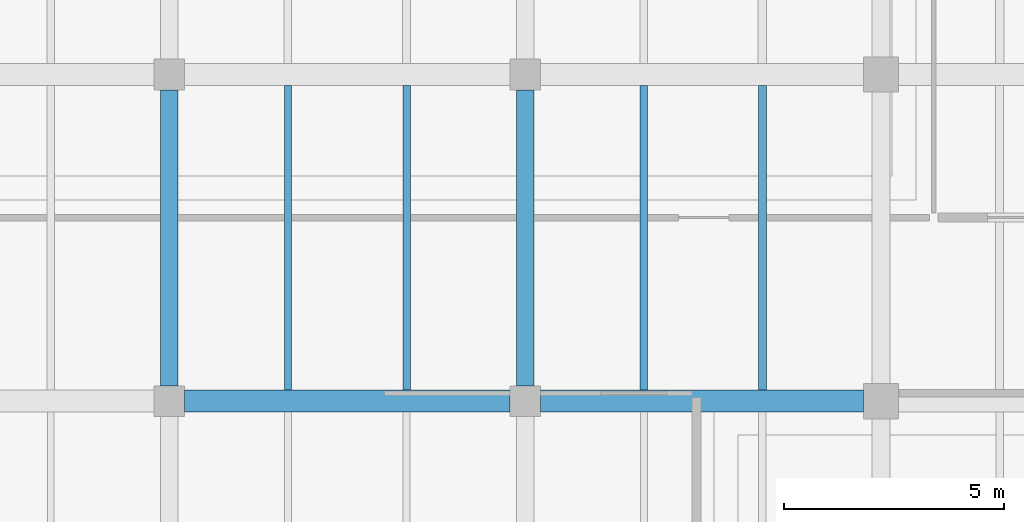
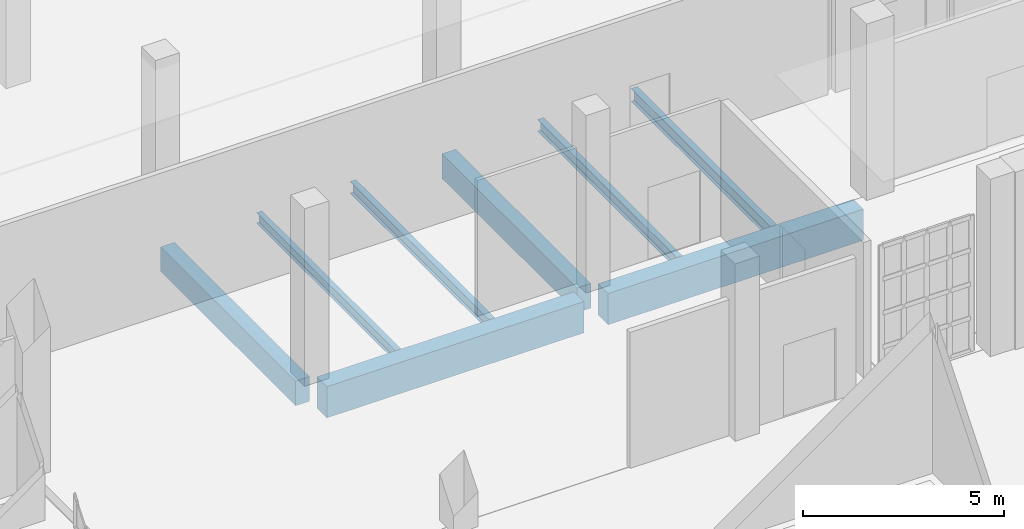
# One storey, part 283 of 372: 8 beams.
"""IFC4 building model written with IfcOpenShell, lengths in metres."""

from ifc_helpers import new_model, si_unit, direction, frame, origin, origin_2d, place, context, subcontext, project, spatial, rectangle, i_section, extrude, material, material_profile, profile_set, type_object, element, save


model = new_model("IFC4")

# Units and contexts
model_context = context("Model", 3, precision=1e-05, world=origin(), true_north=direction((0.0, 1.0)))
body_context = subcontext(model_context, "Body", "Model", "MODEL_VIEW")
ifc_project = project(units=[si_unit("LENGTHUNIT", "METRE"), si_unit("AREAUNIT", "SQUARE_METRE"), si_unit("VOLUMEUNIT", "CUBIC_METRE"), si_unit("PLANEANGLEUNIT", "RADIAN"), si_unit("MASSUNIT", "GRAM", prefix="KILO")], contexts=[model_context])

# Site, building, storey
site_placement = place(None, origin())
site = spatial("IfcSite", under=ifc_project, at=site_placement, CompositionType="ELEMENT")
building_placement = place(site_placement, origin())
building = spatial("IfcBuilding", under=site, at=building_placement, Name="Kaelora Sail Theatre", CompositionType="ELEMENT")
storey_placement = place(building_placement, origin())
storey = spatial("IfcBuildingStorey", under=building, at=storey_placement, Name="L00", CompositionType="ELEMENT", Elevation=0.0)

# Beams
ifc_material_1 = material(Name="Concrete C40/50", Category="concrete")
ifc_material_profile_1 = material_profile(ifc_material_1, rectangle(XDim=0.39990234375, YDim=0.75, at=origin_2d()), Name="RC-BM 400x750")
ifc_profile_set_1 = profile_set([ifc_material_profile_1], Name="Concrete C40/50")
beam_type_1 = type_object("IfcBeamType", Name="STR-BM-BM-RC4075", PredefinedType="BEAM", material=ifc_profile_set_1)
for number, where, z_axis, x_axis, name in (
    (1, (131.10009765625, 61.3701171875, -0.695068359375), (0.0, 1.0, 0.0), (-1.0, 0.0, 0.0), "Primary beam 17 I-J (L00)"),
    (2, (139.199951171875, 61.3701171875, -0.695068359375), (0.0, 1.0, 0.0), (-1.0, 0.0, 0.0), "Primary beam 18 I-J (L00)"),
):
    element("IfcBeam", number, at=place(storey_placement, frame(where, z_axis=z_axis, x_axis=x_axis)), inside=storey, type_object=beam_type_1, Name=name, PredefinedType="BEAM", context=body_context, shape_type="SweptSolid", body=[
        extrude(rectangle(XDim=0.39990234375, YDim=0.75, at=origin_2d()), origin(), (0.0, 0.0, 1.0), 6.739990234375),
    ])
ifc_material_2 = material(Name="Concrete C45/55", Category="concrete")
ifc_material_profile_2 = material_profile(ifc_material_2, rectangle(XDim=0.5, YDim=0.949951171875, at=origin_2d()), Name="RC-GRD 500x950")
ifc_profile_set_2 = profile_set([ifc_material_profile_2], Name="Concrete C45/55")
beam_type_2 = type_object("IfcBeamType", Name="STR-BM-GR-RC5095", PredefinedType="T_BEAM", material=ifc_profile_set_2)
beam_1_placement = place(storey_placement, frame((131.449951171875, 61.02001953125, -0.794921875), z_axis=(1.0, 0.0, 0.0), x_axis=(0.0, 1.0, 0.0)))
element("IfcBeam", 3, at=beam_1_placement, inside=storey, type_object=beam_type_2, Name="Primary beam I 17-18 (L00)", PredefinedType="T_BEAM", context=body_context, shape_type="SweptSolid", body=[
    extrude(rectangle(XDim=0.5, YDim=0.949951171875, at=origin_2d()), origin(), (0.0, 0.0, 1.0), 7.400146484375),
])
beam_2_placement = place(storey_placement, frame((139.550048828125, 61.02001953125, -0.794921875), z_axis=(1.0, 0.0, 0.0), x_axis=(0.0, 1.0, 0.0)))
element("IfcBeam", 4, at=beam_2_placement, inside=storey, type_object=beam_type_2, Name="Primary beam I 18-19 (L00)", PredefinedType="T_BEAM", context=body_context, shape_type="SweptSolid", body=[
    extrude(rectangle(XDim=0.5, YDim=0.949951171875, at=origin_2d()), origin(), (0.0, 0.0, 1.0), 7.349853515625),
])
ifc_material_3 = material(Name="Steel S355", Category="steel")
ifc_material_profile_3 = material_profile(ifc_material_3, i_section(OverallWidth=0.159912109375, OverallDepth=0.330078125, WebThickness=0.007568359375, FlangeThickness=0.011474609375, FilletRadius=0.01806640625, at=origin_2d()), Name="IPE 330")
ifc_profile_set_3 = profile_set([ifc_material_profile_3], Name="Steel S355")
beam_type_3 = type_object("IfcBeamType", Name="STR-BM-JS-IPE330", PredefinedType="JOIST", material=ifc_profile_set_3)
beam_3_placement = place(storey_placement, frame((133.800048828125, 61.27001953125, -0.485107421875), z_axis=(0.0, 1.0, 0.0), x_axis=(-1.0, 0.0, 0.0)))
element("IfcBeam", 5, at=beam_3_placement, inside=storey, type_object=beam_type_3, Name="Secondary floor joist 17/I-1 (L00)", PredefinedType="JOIST", context=body_context, shape_type="SweptSolid", body=[
    extrude(i_section(OverallWidth=0.159912109375, OverallDepth=0.330078125, WebThickness=0.007568359375, FlangeThickness=0.011474609375, FilletRadius=0.01806640625, at=origin_2d()), origin(), (0.0, 0.0, 1.0), 6.93994140625),
])
ifc_material_4 = material(Name="Steel S355", Category="steel")
ifc_material_profile_4 = material_profile(ifc_material_4, i_section(OverallWidth=0.169921875, OverallDepth=0.360107421875, WebThickness=0.008056640625, FlangeThickness=0.0126953125, FilletRadius=0.01806640625, at=origin_2d()), Name="IPE 360")
ifc_profile_set_4 = profile_set([ifc_material_profile_4], Name="Steel S355")
beam_type_4 = type_object("IfcBeamType", Name="STR-BM-JS-IPE360", PredefinedType="JOIST", material=ifc_profile_set_4)
for number, where, z_axis, x_axis, name in (
    (6, (136.5, 61.27001953125, -0.5), (0.0, 1.0, 0.0), (-1.0, 0.0, 0.0), "Secondary floor joist 17/I-2 (L00)"),
    (7, (141.89990234375, 61.27001953125, -0.5), (0.0, 1.0, 0.0), (-1.0, 0.0, 0.0), "Secondary floor joist 18/I-1 (L00)"),
):
    element("IfcBeam", number, at=place(storey_placement, frame(where, z_axis=z_axis, x_axis=x_axis)), inside=storey, type_object=beam_type_4, Name=name, PredefinedType="JOIST", context=body_context, shape_type="SweptSolid", body=[
        extrude(i_section(OverallWidth=0.169921875, OverallDepth=0.360107421875, WebThickness=0.008056640625, FlangeThickness=0.0126953125, FilletRadius=0.01806640625, at=origin_2d()), origin(), (0.0, 0.0, 1.0), 6.93994140625),
    ])
ifc_material_5 = material(Name="Steel S355", Category="steel")
ifc_material_profile_5 = material_profile(ifc_material_5, i_section(OverallWidth=0.179931640625, OverallDepth=0.39990234375, WebThickness=0.008544921875, FlangeThickness=0.013427734375, FilletRadius=0.02099609375, at=origin_2d()), Name="IPE 400")
ifc_profile_set_5 = profile_set([ifc_material_profile_5], Name="Steel S355")
beam_type_5 = type_object("IfcBeamType", Name="STR-BM-JS-IPE400", PredefinedType="JOIST", material=ifc_profile_set_5)
beam_4_placement = place(storey_placement, frame((144.60009765625, 61.27001953125, -0.52001953125), z_axis=(0.0, 1.0, 0.0), x_axis=(-1.0, 0.0, 0.0)))
element("IfcBeam", 8, at=beam_4_placement, inside=storey, type_object=beam_type_5, Name="Secondary floor joist 18/I-2 (L00)", PredefinedType="JOIST", context=body_context, shape_type="SweptSolid", body=[
    extrude(i_section(OverallWidth=0.179931640625, OverallDepth=0.39990234375, WebThickness=0.008544921875, FlangeThickness=0.013427734375, FilletRadius=0.02099609375, at=origin_2d()), origin(), (0.0, 0.0, 1.0), 6.93994140625),
])

save(model, "model.ifc")
